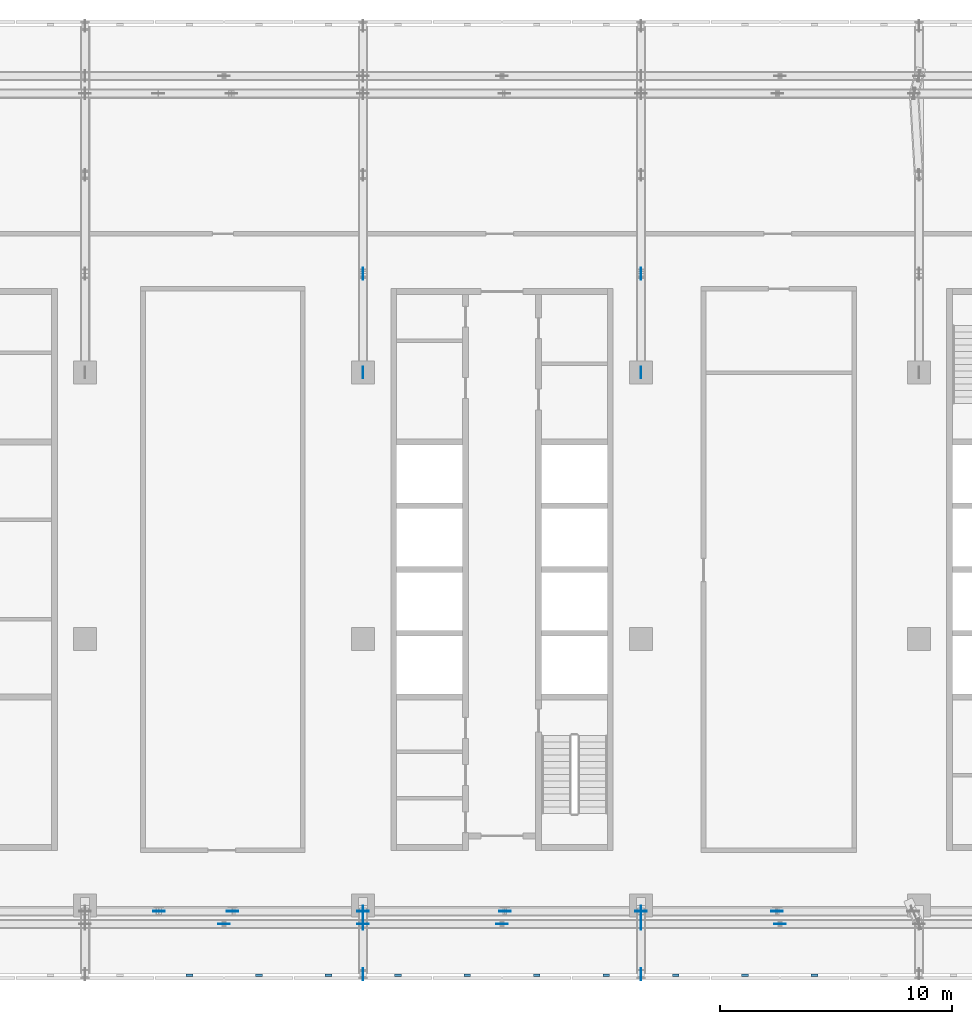
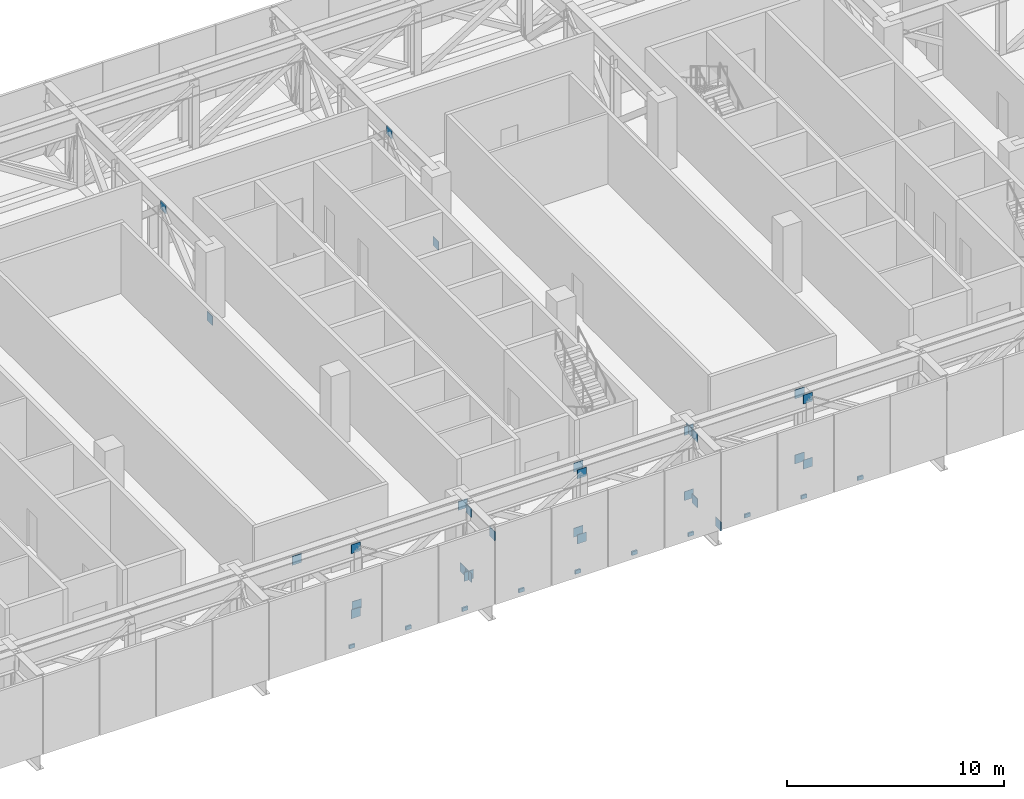
# One storey, part 18 of 29: 38 discrete accessories.
"""IFC4 building model written with IfcOpenShell, lengths in metres."""

import ifcopenshell
import ifcopenshell.guid

model = None  # the IFC model being written
_history = None  # IfcOwnerHistory: only IFC2X3 demands one
_inside = {}  # id of a spatial element -> (the spatial element, [elements in it])
_under = {}  # id of a project, library or spatial element -> (it, [spatial elements below it])
_declared = {}  # id of a project -> (the project, [libraries it declares])
_typed = {}  # id of a type object -> (the type object, [elements of that type])
_made_of = {}  # id of a material, layer set ... -> (it, [elements and type objects made of it])


def new_model(schema):
    """Start an empty IFC model of exactly this schema.

    Asked for "IFC4X3", IfcOpenShell would pick the latest addendum, in which some entities
    have other attributes; the version numbers below select the first issue.
    IFC2X3 requires an IfcOwnerHistory on every rooted entity: one is made here for all.
    """
    global model, _history
    if schema == "IFC4X3":
        model = ifcopenshell.file(schema_version=(4, 3, 0, 0))
    else:
        model = ifcopenshell.file(schema=schema)
    _inside.clear()
    _under.clear()
    _declared.clear()
    _typed.clear()
    _made_of.clear()
    _history = None
    if model.schema == "IFC2X3":
        org = make("IfcOrganization", Name="unknown")
        user = make(
            "IfcPersonAndOrganization",
            ThePerson=make("IfcPerson", FamilyName="unknown"),
            TheOrganization=org,
        )
        app = make(
            "IfcApplication",
            ApplicationDeveloper=org,
            Version="unknown",
            ApplicationFullName="unknown",
            ApplicationIdentifier="unknown",
        )
        _history = make(
            "IfcOwnerHistory",
            OwningUser=user,
            OwningApplication=app,
            ChangeAction="ADDED",
            CreationDate=0,
        )
    return model


def make(cls, **values):
    """One entity of the class cls with the attributes given. An attribute that is None is left unset."""
    return model.create_entity(
        cls, **{name: value for name, value in values.items() if value is not None}
    )


def rooted(cls, **values):
    """An entity with a GlobalId (a new one), such as an element, a storey or a relation."""
    return make(cls, GlobalId=ifcopenshell.guid.new(), OwnerHistory=_history, **values)


def si_unit(unit_type, name, prefix=None):
    """IfcSIUnit, for example si_unit("LENGTHUNIT", "METRE", prefix="MILLI")."""
    return make("IfcSIUnit", UnitType=unit_type, Prefix=prefix, Name=name)


def assignment(units):
    """IfcUnitAssignment: the units of a project."""
    return None if units is None else make("IfcUnitAssignment", Units=units)


def point(xyz):
    """IfcCartesianPoint."""
    return None if xyz is None else make("IfcCartesianPoint", Coordinates=xyz)


def direction(xyz):
    """IfcDirection."""
    return None if xyz is None else make("IfcDirection", DirectionRatios=xyz)


def frame(location, z_axis=None, x_axis=None):
    """IfcAxis2Placement3D, a coordinate frame: its origin and axes. An axis left out is left unset."""
    return make(
        "IfcAxis2Placement3D",
        Location=point(location),
        Axis=direction(z_axis),
        RefDirection=direction(x_axis),
    )


def frame_2d(location, x_axis=None):
    """IfcAxis2Placement2D, a coordinate frame in the plane: its origin and x axis."""
    return make(
        "IfcAxis2Placement2D", Location=point(location), RefDirection=direction(x_axis)
    )


def origin():
    """The frame at (0, 0, 0) with its axes left unset."""
    return frame((0.0, 0.0, 0.0))


def origin_2d():
    """The frame at (0, 0) in the plane with its x axis left unset."""
    return frame_2d((0.0, 0.0))


def place(relative_to, where):
    """IfcLocalPlacement: puts the frame where relative to a parent placement (None: the world)."""
    return make(
        "IfcLocalPlacement", PlacementRelTo=relative_to, RelativePlacement=where
    )


def context(
    kind, dimensions, precision=None, world=None, true_north=None, identifier=None
):
    """IfcGeometricRepresentationContext, for example the 3D "Model" context."""
    return make(
        "IfcGeometricRepresentationContext",
        ContextIdentifier=identifier,
        ContextType=kind,
        CoordinateSpaceDimension=dimensions,
        Precision=precision,
        WorldCoordinateSystem=world,
        TrueNorth=true_north,
    )


def subcontext(parent, identifier, kind, view, scale=None):
    """IfcGeometricRepresentationSubContext, for example "Body" below "Model"."""
    return make(
        "IfcGeometricRepresentationSubContext",
        ContextIdentifier=identifier,
        ContextType=kind,
        ParentContext=parent,
        TargetScale=scale,
        TargetView=view,
    )


def project(units=None, contexts=None):
    """IfcProject with its units and contexts."""
    return rooted(
        "IfcProject",
        Name="project",
        RepresentationContexts=contexts,
        UnitsInContext=assignment(units),
    )


def spatial(cls, under=None, at=None, **own):
    """A site, building, storey or space (cls), placed at a placement, below another one or the project."""
    s = rooted(cls, ObjectPlacement=at, **own)
    if under is not None:
        _under.setdefault(under.id(), (under, []))[1].append(s)
    return s


def profile(cls, at=None, kind="AREA", **sizes):
    """A parametric profile (cls). Its sizes go by their IFC names, for example OverallWidth=200.0."""
    return make(cls, ProfileType=kind, Position=at, **sizes)


def rectangle(**sizes):
    """IfcRectangleProfileDef."""
    return profile("IfcRectangleProfileDef", **sizes)


def extrude(swept, where, along, depth):
    """IfcExtrudedAreaSolid: the profile swept, set in the frame where, extruded along a direction by depth."""
    return make(
        "IfcExtrudedAreaSolid",
        SweptArea=swept,
        Position=where,
        ExtrudedDirection=direction(along),
        Depth=depth,
    )


def shape(context_of_items, identifier, shape_type, items):
    """IfcShapeRepresentation: the items that make up one representation, for example the "Body"."""
    return make(
        "IfcShapeRepresentation",
        ContextOfItems=context_of_items,
        RepresentationIdentifier=identifier,
        RepresentationType=shape_type,
        Items=items,
    )


def material(Name=None, Category=None):
    """IfcMaterial."""
    return make("IfcMaterial", Name=Name, Category=Category)


def layer(
    of_material, thickness, ventilated=None, Name=None, Category=None, Priority=None
):
    """IfcMaterialLayer: one layer of a wall or slab, of a material (None: an air gap)."""
    return make(
        "IfcMaterialLayer",
        Material=of_material,
        LayerThickness=thickness,
        IsVentilated=ventilated,
        Name=Name,
        Category=Category,
        Priority=Priority,
    )


def layer_set(layers, Name=None):
    """IfcMaterialLayerSet."""
    return make("IfcMaterialLayerSet", MaterialLayers=layers, LayerSetName=Name)


def made_of(thing, what):
    """Note that an element or type object is made of a material, layer set ...; save() writes the relation."""
    if what is not None:
        _made_of.setdefault(what.id(), (what, []))[1].append(thing)
    return thing


def type_object(cls, material=None, **own):
    """A type object (cls), such as IfcWallType, which elements share."""
    return made_of(rooted(cls, **own), material)


def element(
    cls,
    number,
    at=None,
    inside=None,
    cuts=None,
    type_object=None,
    material=None,
    context=None,
    identifier="Body",
    shape_type=None,
    held_by="IfcProductDefinitionShape",
    body=None,
    shapes=None,
    **own,
):
    """One element of the class cls, such as IfcWall. Its Tag is "e" and its number.

    at: its placement. inside: the storey or other place that contains it. cuts: it is an
    opening in that element (IfcRelVoidsElement). A single representation is given by context,
    identifier, shape_type and body (its items); several are given by shapes. held_by: the class
    of the entity that holds the representations. save() writes the other relations.
    """
    e = rooted(cls, Tag="e%d" % number, ObjectPlacement=at, **own)
    if body is not None:
        shapes = [shape(context, identifier, shape_type, body)]
    if shapes is not None:
        e.Representation = make(held_by, Representations=shapes)
    if inside is not None:
        _inside.setdefault(inside.id(), (inside, []))[1].append(e)
    if cuts is not None:
        rooted(
            "IfcRelVoidsElement", RelatingBuildingElement=cuts, RelatedOpeningElement=e
        )
    if type_object is not None:
        _typed.setdefault(type_object.id(), (type_object, []))[1].append(e)
    return made_of(e, material)


def aggregate(whole, parts):
    """IfcRelAggregates: a whole, such as a stair, and the parts it consists of."""
    return rooted("IfcRelAggregates", RelatingObject=whole, RelatedObjects=parts)


def save(model, path):
    """Write the relations noted so far, then the file.

    IfcRelAggregates (storeys below a building ...), IfcRelContainedInSpatialStructure (elements
    in a storey), IfcRelDefinesByType, IfcRelAssociatesMaterial and IfcRelDeclares: one each for
    every whole, place, type object, material and project.
    """
    for whole, parts in _under.values():
        aggregate(whole, parts)
    for where, things in _inside.values():
        rooted(
            "IfcRelContainedInSpatialStructure",
            RelatedElements=things,
            RelatingStructure=where,
        )
    for kind, things in _typed.values():
        rooted("IfcRelDefinesByType", RelatedObjects=things, RelatingType=kind)
    for what, things in _made_of.values():
        rooted("IfcRelAssociatesMaterial", RelatedObjects=things, RelatingMaterial=what)
    for by, libraries in _declared.values():
        rooted("IfcRelDeclares", RelatingContext=by, RelatedDefinitions=libraries)
    model.write(path)


model = new_model("IFC4")

# Units and contexts
model_context = context("Model", 3, precision=1e-05, world=origin(), true_north=direction((0.0, 1.0)))
body_context = subcontext(model_context, "Body", "Model", "MODEL_VIEW")
ifc_project = project(units=[si_unit("LENGTHUNIT", "METRE"), si_unit("AREAUNIT", "SQUARE_METRE"), si_unit("VOLUMEUNIT", "CUBIC_METRE"), si_unit("PLANEANGLEUNIT", "RADIAN"), si_unit("MASSUNIT", "GRAM", prefix="KILO")], contexts=[model_context])

# Site, building, storey
site_placement = place(None, origin())
site = spatial("IfcSite", under=ifc_project, at=site_placement, CompositionType="ELEMENT")
building_placement = place(site_placement, origin())
building = spatial("IfcBuilding", under=site, at=building_placement, Name="Mahtab Terrace Research Tower", CompositionType="ELEMENT")
storey_placement = place(building_placement, frame((0.0, 0.0, 259.0)))
storey = spatial("IfcBuildingStorey", under=building, at=storey_placement, Name="L63", CompositionType="ELEMENT", Elevation=259.0)

# Discrete accessories
ifc_material_1 = material(Name="Black anodised aluminium", Category="aluminium")
discrete_accessory_type_1 = type_object("IfcDiscreteAccessoryType", Name="Facade bracket", PredefinedType="BRACKET", material=ifc_material_1)
for number, where, z_axis, x_axis, name in (
    (1, (-13.5, -14.51806640625, -0.2998046875), (0.0, 0.0, 1.0), (1.0, 0.0, 0.0), "Louvre bracket L63 9"),
    (2, (-10.5, -14.51806640625, -0.2998046875), (0.0, 0.0, 1.0), (1.0, 0.0, 0.0), "Louvre bracket L63 10"),
    (3, (-7.5, -14.51806640625, -0.2998046875), (0.0, 0.0, 1.0), (1.0, 0.0, 0.0), "Louvre bracket L63 11"),
    (4, (-4.5, -14.51806640625, -0.2998046875), (0.0, 0.0, 1.0), (1.0, 0.0, 0.0), "Louvre bracket L63 12"),
    (5, (-1.5, -14.51806640625, -0.2998046875), (0.0, 0.0, 1.0), (1.0, 0.0, 0.0), "Louvre bracket L63 13"),
    (6, (1.5, -14.51806640625, -0.2998046875), (0.0, 0.0, 1.0), (1.0, 0.0, 0.0), "Louvre bracket L63 14"),
    (7, (4.5, -14.51806640625, -0.2998046875), (0.0, 0.0, 1.0), (1.0, 0.0, 0.0), "Louvre bracket L63 15"),
    (8, (7.5, -14.51806640625, -0.2998046875), (0.0, 0.0, 1.0), (1.0, 0.0, 0.0), "Louvre bracket L63 16"),
    (9, (10.5, -14.51806640625, -0.2998046875), (0.0, 0.0, 1.0), (1.0, 0.0, 0.0), "Louvre bracket L63 17"),
    (10, (13.5, -14.51806640625, -0.2998046875), (0.0, 0.0, 1.0), (1.0, 0.0, 0.0), "Louvre bracket L63 18"),
):
    element("IfcDiscreteAccessory", number, at=place(storey_placement, frame(where, z_axis=z_axis, x_axis=x_axis)), inside=storey, type_object=discrete_accessory_type_1, Name=name, PredefinedType="BRACKET", context=body_context, shape_type="SweptSolid", body=[
        extrude(rectangle(XDim=0.300048828125, YDim=0.090087890625, at=origin_2d()), origin(), (0.0, 0.0, 1.0), 0.199951171875),
    ])
ifc_material_2 = material(Name="Steel ASTM A992 Gr 50", Category="steel")
ifc_layer = layer(ifc_material_2, 0.030029296875)
ifc_layer_set = layer_set([ifc_layer], Name="Gusset plate 500x500x30")
discrete_accessory_type_2 = type_object("IfcDiscreteAccessoryType", Name="Gusset plate 500x500x30", PredefinedType="USERDEFINED", material=ifc_layer_set)
for number, where, z_axis, x_axis, name in (
    (11, (-14.81640625, -11.758056640625, 3.209716796875), (0.0, 0.0, 1.0), (1.0, 0.0, 0.0), "Gusset plate"),
    (12, (-12.0, -12.306884765625, -0.44677734375), (0.0, 0.0, 1.0), (1.0, 0.0, 0.0), "Gusset plate"),
    (13, (-12.0, -12.306884765625, 3.209716796875), (0.0, 0.0, 1.0), (1.0, 0.0, 0.0), "Gusset plate"),
    (14, (-11.633056640625, -11.758056640625, -0.44677734375), (0.0, 0.0, 1.0), (1.0, 0.0, 0.0), "Gusset plate"),
    (15, (-6.0, -12.306884765625, -0.44677734375), (0.0, 0.0, 1.0), (1.0, 0.0, 0.0), "Gusset plate"),
    (16, (-6.0, -11.758056640625, 3.209716796875), (0.0, 0.0, 1.0), (1.0, 0.0, 0.0), "Gusset plate"),
    (17, (0.0, -12.306884765625, -0.44677734375), (0.0, 0.0, 1.0), (1.0, 0.0, 0.0), "Gusset plate"),
    (18, (0.0, -12.306884765625, 3.209716796875), (0.0, 0.0, 1.0), (1.0, 0.0, 0.0), "Gusset plate"),
    (19, (0.1220703125, -11.758056640625, -0.44677734375), (0.0, 0.0, 1.0), (1.0, 0.0, 0.0), "Gusset plate"),
    (20, (0.1220703125, -11.758056640625, 3.209716796875), (0.0, 0.0, 1.0), (1.0, 0.0, 0.0), "Gusset plate"),
    (21, (6.0, -11.758056640625, -0.44677734375), (0.0, 0.0, 1.0), (1.0, 0.0, 0.0), "Gusset plate"),
    (22, (6.0, -11.758056640625, 3.209716796875), (0.0, 0.0, 1.0), (1.0, 0.0, 0.0), "Gusset plate"),
    (23, (11.8779296875, -11.758056640625, -0.44677734375), (0.0, 0.0, 1.0), (1.0, 0.0, 0.0), "Gusset plate"),
    (24, (11.8779296875, -11.758056640625, 3.209716796875), (0.0, 0.0, 1.0), (1.0, 0.0, 0.0), "Gusset plate"),
    (25, (12.0, -12.306884765625, -0.44677734375), (0.0, 0.0, 1.0), (1.0, 0.0, 0.0), "Gusset plate"),
    (26, (12.0, -12.306884765625, 3.209716796875), (0.0, 0.0, 1.0), (1.0, 0.0, 0.0), "Gusset plate"),
    (27, (-6.0, -14.472900390625, 3.209716796875), (0.0, 0.0, 1.0), (0.0, 1.0, 0.0), "Gusset plate"),
    (28, (-6.0, -12.306884765625, -0.44677734375), (0.0, 0.0, 1.0), (0.0, 1.0, 0.0), "Gusset plate"),
    (29, (-6.0, -12.306884765625, 3.209716796875), (0.0, 0.0, 1.0), (0.0, 1.0, 0.0), "Gusset plate"),
    (30, (-6.0, -11.758056640625, -0.44677734375), (0.0, 0.0, 1.0), (0.0, 1.0, 0.0), "Gusset plate"),
    (31, (-6.0, 11.5, -0.44677734375), (0.0, 0.0, 1.0), (0.0, 1.0, 0.0), "Gusset plate"),
    (32, (-6.0, 15.76904296875, 3.209716796875), (0.0, 0.0, 1.0), (0.0, 1.0, 0.0), "Gusset plate"),
    (33, (6.0, -14.472900390625, -0.44677734375), (0.0, 0.0, 1.0), (0.0, 1.0, 0.0), "Gusset plate"),
    (34, (6.0, -12.306884765625, -0.44677734375), (0.0, 0.0, 1.0), (0.0, 1.0, 0.0), "Gusset plate"),
    (35, (6.0, -12.306884765625, 3.209716796875), (0.0, 0.0, 1.0), (0.0, 1.0, 0.0), "Gusset plate"),
    (36, (6.0, -11.758056640625, 3.209716796875), (0.0, 0.0, 1.0), (0.0, 1.0, 0.0), "Gusset plate"),
    (37, (6.0, 11.5, -0.44677734375), (0.0, 0.0, 1.0), (0.0, 1.0, 0.0), "Gusset plate"),
    (38, (6.0, 15.76904296875, 3.209716796875), (0.0, 0.0, 1.0), (0.0, 1.0, 0.0), "Gusset plate"),
):
    element("IfcDiscreteAccessory", number, at=place(storey_placement, frame(where, z_axis=z_axis, x_axis=x_axis)), inside=storey, type_object=discrete_accessory_type_2, Name=name, ObjectType="GUSSET PLATE", PredefinedType="USERDEFINED", context=body_context, shape_type="SweptSolid", body=[
        extrude(rectangle(XDim=0.5, YDim=0.030029296875, at=origin_2d()), origin(), (0.0, 0.0, 1.0), 0.5),
    ])

save(model, "model.ifc")
